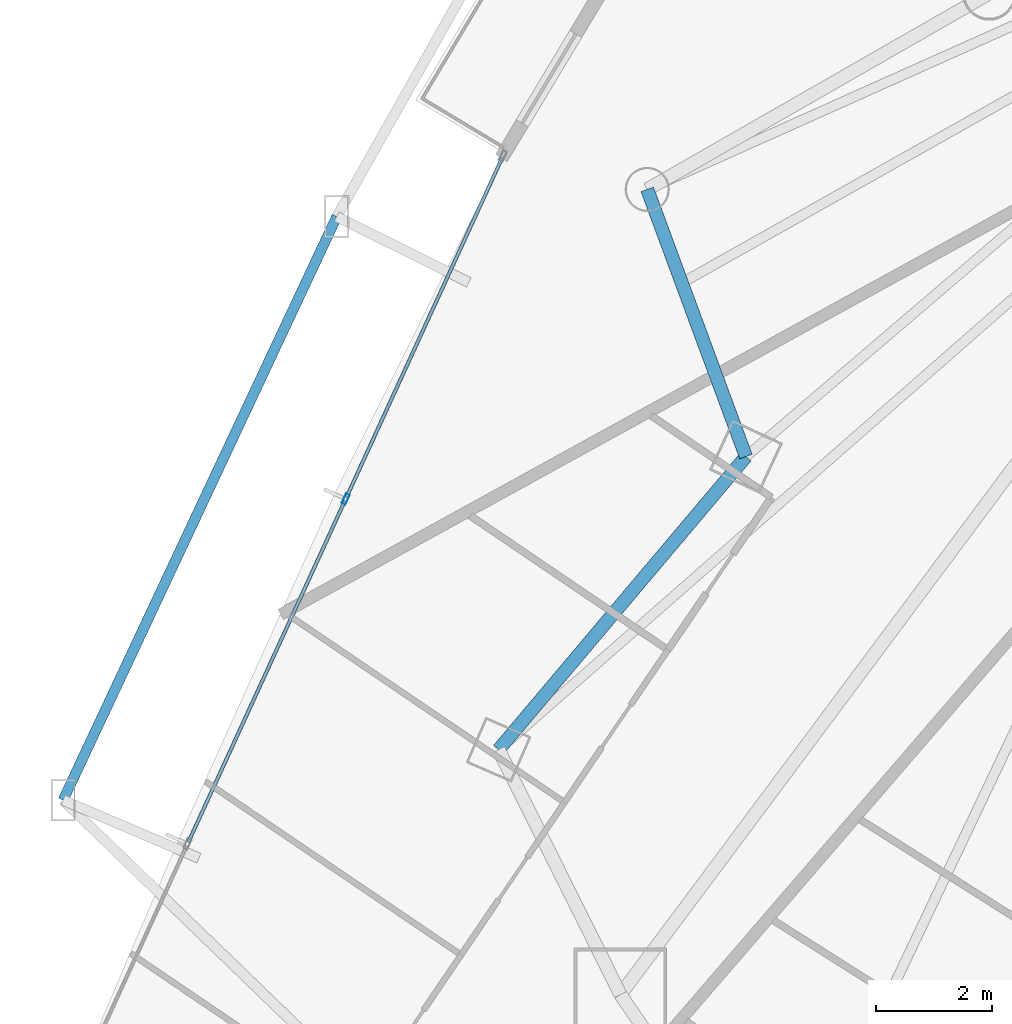
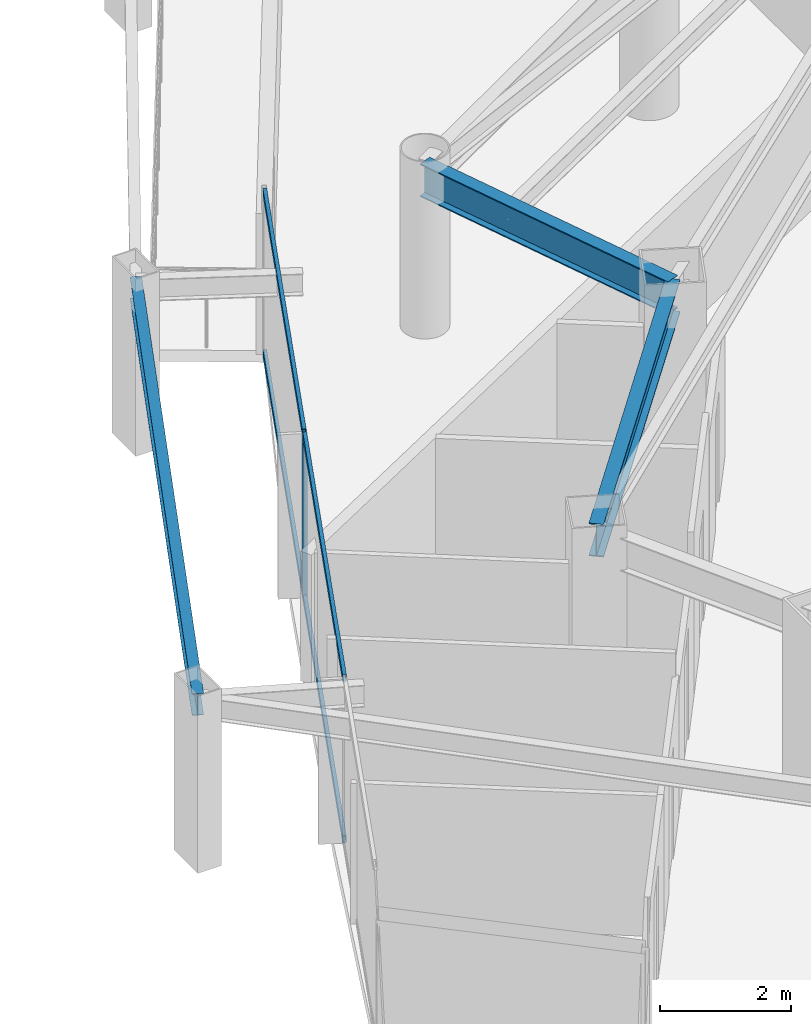
# One storey, part 9 of 35: 5 members, 3 beams, 1 element without a shape of its own.
"""IFC4 building model written with IfcOpenShell, lengths in metres."""

import ifcopenshell
import ifcopenshell.guid

model = None  # the IFC model being written
_history = None  # IfcOwnerHistory: only IFC2X3 demands one
_inside = {}  # id of a spatial element -> (the spatial element, [elements in it])
_under = {}  # id of a project, library or spatial element -> (it, [spatial elements below it])
_declared = {}  # id of a project -> (the project, [libraries it declares])
_typed = {}  # id of a type object -> (the type object, [elements of that type])
_made_of = {}  # id of a material, layer set ... -> (it, [elements and type objects made of it])


def new_model(schema):
    """Start an empty IFC model of exactly this schema.

    Asked for "IFC4X3", IfcOpenShell would pick the latest addendum, in which some entities
    have other attributes; the version numbers below select the first issue.
    IFC2X3 requires an IfcOwnerHistory on every rooted entity: one is made here for all.
    """
    global model, _history
    if schema == "IFC4X3":
        model = ifcopenshell.file(schema_version=(4, 3, 0, 0))
    else:
        model = ifcopenshell.file(schema=schema)
    _inside.clear()
    _under.clear()
    _declared.clear()
    _typed.clear()
    _made_of.clear()
    _history = None
    if model.schema == "IFC2X3":
        org = make("IfcOrganization", Name="unknown")
        user = make(
            "IfcPersonAndOrganization",
            ThePerson=make("IfcPerson", FamilyName="unknown"),
            TheOrganization=org,
        )
        app = make(
            "IfcApplication",
            ApplicationDeveloper=org,
            Version="unknown",
            ApplicationFullName="unknown",
            ApplicationIdentifier="unknown",
        )
        _history = make(
            "IfcOwnerHistory",
            OwningUser=user,
            OwningApplication=app,
            ChangeAction="ADDED",
            CreationDate=0,
        )
    return model


def make(cls, **values):
    """One entity of the class cls with the attributes given. An attribute that is None is left unset."""
    return model.create_entity(
        cls, **{name: value for name, value in values.items() if value is not None}
    )


def rooted(cls, **values):
    """An entity with a GlobalId (a new one), such as an element, a storey or a relation."""
    return make(cls, GlobalId=ifcopenshell.guid.new(), OwnerHistory=_history, **values)


def si_unit(unit_type, name, prefix=None):
    """IfcSIUnit, for example si_unit("LENGTHUNIT", "METRE", prefix="MILLI")."""
    return make("IfcSIUnit", UnitType=unit_type, Prefix=prefix, Name=name)


def assignment(units):
    """IfcUnitAssignment: the units of a project."""
    return None if units is None else make("IfcUnitAssignment", Units=units)


def point(xyz):
    """IfcCartesianPoint."""
    return None if xyz is None else make("IfcCartesianPoint", Coordinates=xyz)


def direction(xyz):
    """IfcDirection."""
    return None if xyz is None else make("IfcDirection", DirectionRatios=xyz)


def frame(location, z_axis=None, x_axis=None):
    """IfcAxis2Placement3D, a coordinate frame: its origin and axes. An axis left out is left unset."""
    return make(
        "IfcAxis2Placement3D",
        Location=point(location),
        Axis=direction(z_axis),
        RefDirection=direction(x_axis),
    )


def frame_2d(location, x_axis=None):
    """IfcAxis2Placement2D, a coordinate frame in the plane: its origin and x axis."""
    return make(
        "IfcAxis2Placement2D", Location=point(location), RefDirection=direction(x_axis)
    )


def origin():
    """The frame at (0, 0, 0) with its axes left unset."""
    return frame((0.0, 0.0, 0.0))


def origin_2d():
    """The frame at (0, 0) in the plane with its x axis left unset."""
    return frame_2d((0.0, 0.0))


def place(relative_to, where):
    """IfcLocalPlacement: puts the frame where relative to a parent placement (None: the world)."""
    return make(
        "IfcLocalPlacement", PlacementRelTo=relative_to, RelativePlacement=where
    )


def context(
    kind, dimensions, precision=None, world=None, true_north=None, identifier=None
):
    """IfcGeometricRepresentationContext, for example the 3D "Model" context."""
    return make(
        "IfcGeometricRepresentationContext",
        ContextIdentifier=identifier,
        ContextType=kind,
        CoordinateSpaceDimension=dimensions,
        Precision=precision,
        WorldCoordinateSystem=world,
        TrueNorth=true_north,
    )


def subcontext(parent, identifier, kind, view, scale=None):
    """IfcGeometricRepresentationSubContext, for example "Body" below "Model"."""
    return make(
        "IfcGeometricRepresentationSubContext",
        ContextIdentifier=identifier,
        ContextType=kind,
        ParentContext=parent,
        TargetScale=scale,
        TargetView=view,
    )


def project(units=None, contexts=None):
    """IfcProject with its units and contexts."""
    return rooted(
        "IfcProject",
        Name="project",
        RepresentationContexts=contexts,
        UnitsInContext=assignment(units),
    )


def spatial(cls, under=None, at=None, **own):
    """A site, building, storey or space (cls), placed at a placement, below another one or the project."""
    s = rooted(cls, ObjectPlacement=at, **own)
    if under is not None:
        _under.setdefault(under.id(), (under, []))[1].append(s)
    return s


def profile(cls, at=None, kind="AREA", **sizes):
    """A parametric profile (cls). Its sizes go by their IFC names, for example OverallWidth=200.0."""
    return make(cls, ProfileType=kind, Position=at, **sizes)


def hollow_rectangle(**sizes):
    """IfcRectangleHollowProfileDef."""
    return profile("IfcRectangleHollowProfileDef", **sizes)


def i_section(**sizes):
    """IfcIShapeProfileDef."""
    return profile("IfcIShapeProfileDef", **sizes)


def extrude(swept, where, along, depth):
    """IfcExtrudedAreaSolid: the profile swept, set in the frame where, extruded along a direction by depth."""
    return make(
        "IfcExtrudedAreaSolid",
        SweptArea=swept,
        Position=where,
        ExtrudedDirection=direction(along),
        Depth=depth,
    )


def shape(context_of_items, identifier, shape_type, items):
    """IfcShapeRepresentation: the items that make up one representation, for example the "Body"."""
    return make(
        "IfcShapeRepresentation",
        ContextOfItems=context_of_items,
        RepresentationIdentifier=identifier,
        RepresentationType=shape_type,
        Items=items,
    )


def material(Name=None, Category=None):
    """IfcMaterial."""
    return make("IfcMaterial", Name=Name, Category=Category)


def layer(
    of_material, thickness, ventilated=None, Name=None, Category=None, Priority=None
):
    """IfcMaterialLayer: one layer of a wall or slab, of a material (None: an air gap)."""
    return make(
        "IfcMaterialLayer",
        Material=of_material,
        LayerThickness=thickness,
        IsVentilated=ventilated,
        Name=Name,
        Category=Category,
        Priority=Priority,
    )


def layer_set(layers, Name=None):
    """IfcMaterialLayerSet."""
    return make("IfcMaterialLayerSet", MaterialLayers=layers, LayerSetName=Name)


def material_profile(
    of_material, cross_section, Name=None, Category=None, Priority=None
):
    """IfcMaterialProfile: a cross section and its material."""
    return make(
        "IfcMaterialProfile",
        Name=Name,
        Material=of_material,
        Profile=cross_section,
        Priority=Priority,
        Category=Category,
    )


def profile_set(profiles, Name=None, composite=None):
    """IfcMaterialProfileSet."""
    return make(
        "IfcMaterialProfileSet",
        Name=Name,
        MaterialProfiles=profiles,
        CompositeProfile=composite,
    )


def made_of(thing, what):
    """Note that an element or type object is made of a material, layer set ...; save() writes the relation."""
    if what is not None:
        _made_of.setdefault(what.id(), (what, []))[1].append(thing)
    return thing


def type_object(cls, material=None, **own):
    """A type object (cls), such as IfcWallType, which elements share."""
    return made_of(rooted(cls, **own), material)


def element(
    cls,
    number,
    at=None,
    inside=None,
    cuts=None,
    type_object=None,
    material=None,
    context=None,
    identifier="Body",
    shape_type=None,
    held_by="IfcProductDefinitionShape",
    body=None,
    shapes=None,
    **own,
):
    """One element of the class cls, such as IfcWall. Its Tag is "e" and its number.

    at: its placement. inside: the storey or other place that contains it. cuts: it is an
    opening in that element (IfcRelVoidsElement). A single representation is given by context,
    identifier, shape_type and body (its items); several are given by shapes. held_by: the class
    of the entity that holds the representations. save() writes the other relations.
    """
    e = rooted(cls, Tag="e%d" % number, ObjectPlacement=at, **own)
    if body is not None:
        shapes = [shape(context, identifier, shape_type, body)]
    if shapes is not None:
        e.Representation = make(held_by, Representations=shapes)
    if inside is not None:
        _inside.setdefault(inside.id(), (inside, []))[1].append(e)
    if cuts is not None:
        rooted(
            "IfcRelVoidsElement", RelatingBuildingElement=cuts, RelatedOpeningElement=e
        )
    if type_object is not None:
        _typed.setdefault(type_object.id(), (type_object, []))[1].append(e)
    return made_of(e, material)


def aggregate(whole, parts):
    """IfcRelAggregates: a whole, such as a stair, and the parts it consists of."""
    return rooted("IfcRelAggregates", RelatingObject=whole, RelatedObjects=parts)


def save(model, path):
    """Write the relations noted so far, then the file.

    IfcRelAggregates (storeys below a building ...), IfcRelContainedInSpatialStructure (elements
    in a storey), IfcRelDefinesByType, IfcRelAssociatesMaterial and IfcRelDeclares: one each for
    every whole, place, type object, material and project.
    """
    for whole, parts in _under.values():
        aggregate(whole, parts)
    for where, things in _inside.values():
        rooted(
            "IfcRelContainedInSpatialStructure",
            RelatedElements=things,
            RelatingStructure=where,
        )
    for kind, things in _typed.values():
        rooted("IfcRelDefinesByType", RelatedObjects=things, RelatingType=kind)
    for what, things in _made_of.values():
        rooted("IfcRelAssociatesMaterial", RelatedObjects=things, RelatingMaterial=what)
    for by, libraries in _declared.values():
        rooted("IfcRelDeclares", RelatingContext=by, RelatedDefinitions=libraries)
    model.write(path)


model = new_model("IFC4")

# Units and contexts
model_context = context("Model", 3, precision=1e-05, world=origin(), true_north=direction((0.0, 1.0)))
body_context = subcontext(model_context, "Body", "Model", "MODEL_VIEW")
ifc_project = project(units=[si_unit("LENGTHUNIT", "METRE"), si_unit("AREAUNIT", "SQUARE_METRE"), si_unit("VOLUMEUNIT", "CUBIC_METRE"), si_unit("PLANEANGLEUNIT", "RADIAN"), si_unit("MASSUNIT", "GRAM", prefix="KILO")], contexts=[model_context])

# Site, building, storey
site_placement = place(None, origin())
site = spatial("IfcSite", under=ifc_project, at=site_placement, CompositionType="ELEMENT")
building_placement = place(site_placement, origin())
building = spatial("IfcBuilding", under=site, at=building_placement, Name="Orvanel Arch Residences", CompositionType="ELEMENT")
storey_placement = place(building_placement, frame((0.0, 0.0, 26.89990234375)))
storey = spatial("IfcBuildingStorey", under=building, at=storey_placement, Name="L06", CompositionType="ELEMENT", Elevation=26.89990234375)

# Curtain wall, member
ifc_material_1 = material(Name="Bronze-anodised aluminium AA6063-T6", Category="aluminium")
ifc_layer = layer(ifc_material_1, 0.179931640625)
ifc_layer_set = layer_set([ifc_layer], Name="Bronze-anodised aluminium AA6063-T6")
curtain_wall_type = type_object("IfcCurtainWallType", Name="CW2-LOW-SYS", PredefinedType="NOTDEFINED", material=ifc_layer_set)
curtain_wall_placement = place(storey_placement, origin())
curtain_wall = element("IfcCurtainWall", 1, at=curtain_wall_placement, inside=storey, type_object=curtain_wall_type, Name="L06 CW2-LOW-SYS Unitised Curtain Wall", PredefinedType="NOTDEFINED")
ifc_material_profile_1 = material_profile(ifc_material_1, hollow_rectangle(XDim=0.070068359375, YDim=0.179931640625, WallThickness=0.00439453125, at=origin_2d()), Name="ALU180x70x4.5")
ifc_profile_set_1 = profile_set([ifc_material_profile_1], Name="Bronze-anodised aluminium AA6063-T6")
member_type_1 = type_object("IfcMemberType", Name="MUL-180x70", PredefinedType="MULLION", material=ifc_profile_set_1)
member_1_placement = place(storey_placement, frame((9.4541015625, 18.908447265625, 0.0), z_axis=(0.0, 0.0, 1.0), x_axis=(0.909015042916, -0.416763304229, 0.0)))
member_1 = element("IfcMember", 2, at=member_1_placement, type_object=member_type_1, Name="CW-S2 mullion 2", PredefinedType="MULLION", context=body_context, shape_type="SweptSolid", body=[
    extrude(hollow_rectangle(XDim=0.070068359375, YDim=0.179931640625, WallThickness=0.00439453125, at=origin_2d()), origin(), (0.0, 0.0, 1.0), 3.06005859375),
])

# Beams
ifc_material_2 = material(Name="Structural steel AS/NZS 3679.1 Grade 300 (300 MPa)", Category="steel")
ifc_material_profile_2 = material_profile(ifc_material_2, i_section(OverallWidth=0.177978515625, OverallDepth=0.406005859375, WebThickness=0.0078125, FlangeThickness=0.0126953125, at=origin_2d()), Name="410UB59.7")
ifc_profile_set_2 = profile_set([ifc_material_profile_2], Name="Structural steel AS/NZS 3679.1 Grade 300 (300 MPa)")
beam_type_1 = type_object("IfcBeamType", Name="OB-410UB-EXT", PredefinedType="SPANDREL", material=ifc_profile_set_2)
beam_1_placement = place(storey_placement, frame((9.300048828125, 23.787109375, 2.857177734375), z_axis=(-0.424615912587, -0.905373584095, 0.0), x_axis=(0.905373584095, -0.424615912587, 0.0)))
element("IfcBeam", 3, at=beam_1_placement, inside=storey, type_object=beam_type_1, Name="L06 Outer Perimeter Floor Ring Beam 03", PredefinedType="SPANDREL", context=body_context, shape_type="SweptSolid", body=[
    extrude(i_section(OverallWidth=0.177978515625, OverallDepth=0.406005859375, WebThickness=0.0078125, FlangeThickness=0.0126953125, at=origin_2d()), origin(), (0.0, 0.0, 1.0), 11.132568359375),
])
ifc_material_profile_3 = material_profile(ifc_material_2, i_section(OverallWidth=0.22900390625, OverallDepth=0.612060546875, WebThickness=0.011962890625, FlangeThickness=0.01953125, at=origin_2d()), Name="610UB125")
ifc_profile_set_3 = profile_set([ifc_material_profile_3], Name="Structural steel AS/NZS 3679.1 Grade 300 (300 MPa)")
beam_type_2 = type_object("IfcBeamType", Name="SP-610UB", PredefinedType="SPANDREL", material=ifc_profile_set_3)
beam_2_placement = place(storey_placement, frame((16.366943359375, 19.64208984375, 2.754150390625), z_axis=(-0.644950329775, -0.764224490659, 0.0), x_axis=(0.764224490659, -0.644950329775, 0.0)))
element("IfcBeam", 4, at=beam_2_placement, inside=storey, type_object=beam_type_2, Name="L06 Perimeter Spandrel Beam 01", PredefinedType="SPANDREL", context=body_context, shape_type="SweptSolid", body=[
    extrude(i_section(OverallWidth=0.22900390625, OverallDepth=0.612060546875, WebThickness=0.011962890625, FlangeThickness=0.01953125, at=origin_2d()), origin(), (0.0, 0.0, 1.0), 6.623779296875),
])
beam_3_placement = place(storey_placement, frame((14.662109375, 24.256103515625, 2.754150390625), z_axis=(0.346588434017, -0.938017301229, 0.0), x_axis=(0.938017301229, 0.346588434017, 0.0)))
element("IfcBeam", 5, at=beam_3_placement, inside=storey, type_object=beam_type_2, Name="L06 Perimeter Spandrel Beam 22", PredefinedType="SPANDREL", context=body_context, shape_type="SweptSolid", body=[
    extrude(i_section(OverallWidth=0.22900390625, OverallDepth=0.612060546875, WebThickness=0.011962890625, FlangeThickness=0.01953125, at=origin_2d()), origin(), (0.0, 0.0, 1.0), 4.9189453125),
])

# Member
ifc_material_profile_4 = material_profile(ifc_material_1, hollow_rectangle(XDim=0.06005859375, YDim=0.135009765625, WallThickness=0.00390625, at=origin_2d()), Name="ALU135x60x4")
ifc_profile_set_4 = profile_set([ifc_material_profile_4], Name="Bronze-anodised aluminium AA6063-T6")
member_type_2 = type_object("IfcMemberType", Name="TRN-135x60", PredefinedType="USERDEFINED", material=ifc_profile_set_4)
member_2_placement = place(storey_placement, frame((12.15576171875, 24.80126953125, 0.030029296875), z_axis=(-0.416773352325, -0.909010436019, 0.0), x_axis=(0.909010436019, -0.416773352325, 0.0)))
member_2 = element("IfcMember", 6, at=member_2_placement, type_object=member_type_2, Name="CW-S2 transom 1.1", ObjectType="TRANSOM", PredefinedType="USERDEFINED", context=body_context, shape_type="SweptSolid", body=[
    extrude(hollow_rectangle(XDim=0.06005859375, YDim=0.135009765625, WallThickness=0.00390625, at=origin_2d()), origin(), (0.0, 0.0, 1.0), 6.44775390625),
])

member_3_placement = place(storey_placement, frame((12.15576171875, 24.80126953125, 3.030029296875), z_axis=(-0.416773352325, -0.909010436019, 0.0), x_axis=(0.909010436019, -0.416773352325, 0.0)))
member_3 = element("IfcMember", 7, at=member_3_placement, type_object=member_type_2, Name="CW-S2 transom 1.2", ObjectType="TRANSOM", PredefinedType="USERDEFINED", context=body_context, shape_type="SweptSolid", body=[
    extrude(hollow_rectangle(XDim=0.06005859375, YDim=0.135009765625, WallThickness=0.00390625, at=origin_2d()), origin(), (0.0, 0.0, 1.0), 6.44775390625),
])

member_4_placement = place(storey_placement, frame((9.439453125, 18.87646484375, 0.030029296875), z_axis=(-0.416771411931, -0.90901132567, 0.0), x_axis=(0.90901132567, -0.416771411931, 0.0)))
member_4 = element("IfcMember", 8, at=member_4_placement, type_object=member_type_2, Name="CW-S2 transom 2.1", ObjectType="TRANSOM", PredefinedType="USERDEFINED", context=body_context, shape_type="SweptSolid", body=[
    extrude(hollow_rectangle(XDim=0.06005859375, YDim=0.135009765625, WallThickness=0.00390625, at=origin_2d()), origin(), (0.0, 0.0, 1.0), 6.48291015625),
])

member_5_placement = place(storey_placement, frame((9.439453125, 18.87646484375, 3.030029296875), z_axis=(-0.416771411931, -0.90901132567, 0.0), x_axis=(0.90901132567, -0.416771411931, 0.0)))
member_5 = element("IfcMember", 9, at=member_5_placement, type_object=member_type_2, Name="CW-S2 transom 2.2", ObjectType="TRANSOM", PredefinedType="USERDEFINED", context=body_context, shape_type="SweptSolid", body=[
    extrude(hollow_rectangle(XDim=0.06005859375, YDim=0.135009765625, WallThickness=0.00390625, at=origin_2d()), origin(), (0.0, 0.0, 1.0), 6.48291015625),
])

aggregate(curtain_wall, [member_1, member_2, member_3, member_4, member_5])

save(model, "model.ifc")
